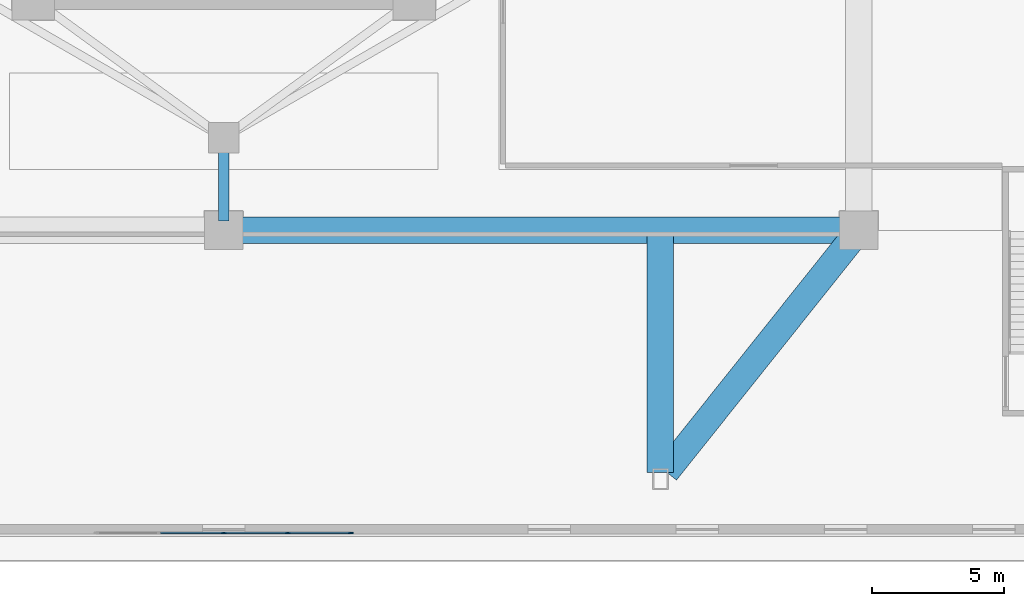
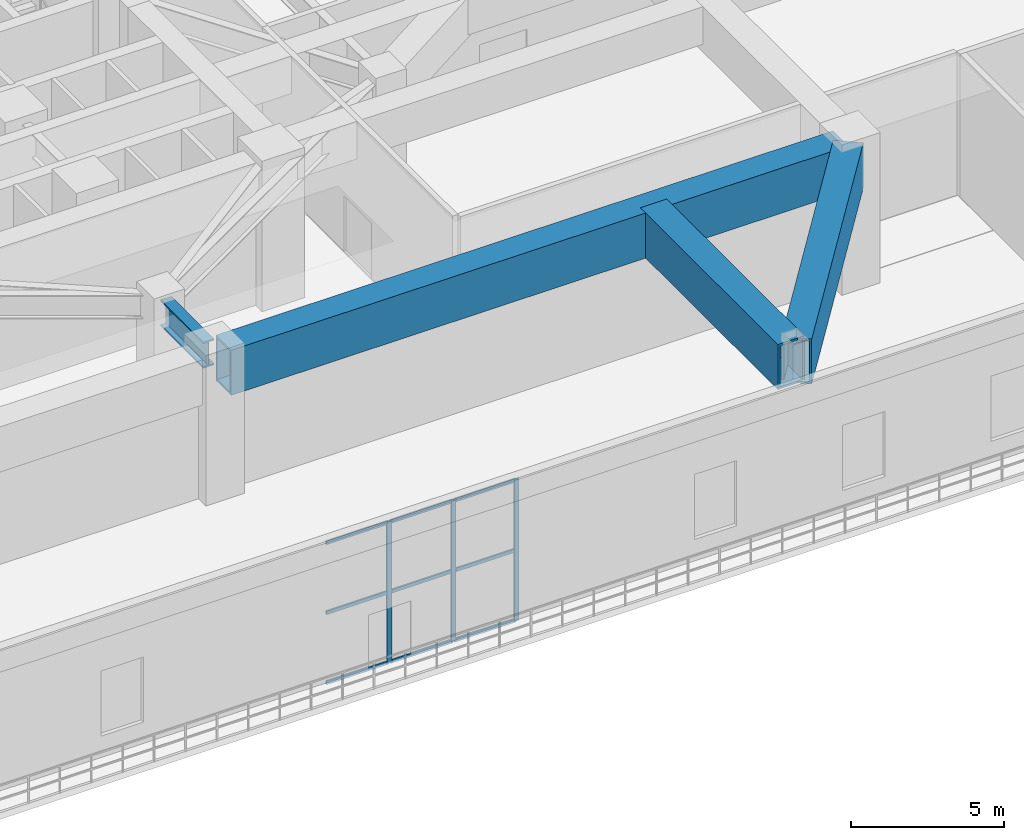
# One storey, part 4 of 25: 12 members, 4 beams, 1 element without a shape of its own.
"""IFC4 building model written with IfcOpenShell, lengths in metres."""

from ifc_helpers import new_model, si_unit, direction, frame, origin, origin_2d, place, context, subcontext, project, spatial, rectangle, hollow_rectangle, i_section, extrude, material, layer, layer_set, material_profile, profile_set, type_object, element, aggregate, save


model = new_model("IFC4")

# Units and contexts
model_context = context("Model", 3, precision=1e-05, world=origin(), true_north=direction((0.0, 1.0)))
body_context = subcontext(model_context, "Body", "Model", "MODEL_VIEW")
ifc_project = project(units=[si_unit("LENGTHUNIT", "METRE"), si_unit("AREAUNIT", "SQUARE_METRE"), si_unit("VOLUMEUNIT", "CUBIC_METRE"), si_unit("PLANEANGLEUNIT", "RADIAN"), si_unit("MASSUNIT", "GRAM", prefix="KILO")], contexts=[model_context])

# Site, building, storey
site_placement = place(None, origin())
site = spatial("IfcSite", under=ifc_project, at=site_placement, CompositionType="ELEMENT")
building_placement = place(site_placement, origin())
building = spatial("IfcBuilding", under=site, at=building_placement, Name="Apsidion Concourse Tower", CompositionType="ELEMENT")
storey_placement = place(building_placement, frame((0.0, 0.0, 11.5)))
storey = spatial("IfcBuildingStorey", under=building, at=storey_placement, Name="L02", CompositionType="ELEMENT", Elevation=11.5)

# Beams
ifc_material_1 = material(Name="Structural steel ASTM A992 Grade 50", Category="steel")
ifc_material_profile_1 = material_profile(ifc_material_1, i_section(OverallWidth=0.408935546875, OverallDepth=1.041015625, WebThickness=0.031005859375, FlangeThickness=0.055908203125, at=origin_2d()), Name="W40X397")
ifc_profile_set_1 = profile_set([ifc_material_profile_1], Name="Structural steel ASTM A992 Grade 50")
beam_type_1 = type_object("IfcBeamType", Name="BM-G-W40H", PredefinedType="USERDEFINED", material=ifc_profile_set_1)
beam_1_placement = place(storey_placement, frame((0.0, -17.64990234375, 5.179443359375), z_axis=(0.0, 1.0, 0.0), x_axis=(-1.0, 0.0, 0.0)))
element("IfcBeam", 1, at=beam_1_placement, inside=storey, type_object=beam_type_1, Name="L02 Podium Girder MC7-IC6", ObjectType="GIRDER", PredefinedType="USERDEFINED", context=body_context, shape_type="SweptSolid", body=[
    extrude(i_section(OverallWidth=0.408935546875, OverallDepth=1.041015625, WebThickness=0.031005859375, FlangeThickness=0.055908203125, at=origin_2d()), origin(), (0.0, 0.0, 1.0), 2.7998046875),
])
ifc_material_2 = material(Name="Structural steel ASTM A572 Grade 50", Category="steel")
ifc_material_profile_2 = material_profile(ifc_material_2, hollow_rectangle(XDim=1.0, YDim=1.800048828125, WallThickness=0.080078125, at=origin_2d()), Name="BOX1800X1000X80")
ifc_profile_set_2 = profile_set([ifc_material_profile_2], Name="Structural steel ASTM A572 Grade 50")
beam_type_2 = type_object("IfcBeamType", Name="BM-TR-1800", PredefinedType="USERDEFINED", material=ifc_profile_set_2)
beam_2_placement = place(storey_placement, frame((0.35009765625, -18.0, 4.800048828125), z_axis=(1.0, 0.0, 0.0), x_axis=(0.0, 1.0, 0.0)))
element("IfcBeam", 2, at=beam_2_placement, inside=storey, type_object=beam_type_2, Name="L02 Podium Transfer Collector Girder MC7-MC2", ObjectType="GIRDER", PredefinedType="USERDEFINED", context=body_context, shape_type="SweptSolid", body=[
    extrude(hollow_rectangle(XDim=1.0, YDim=1.800048828125, WallThickness=0.080078125, at=origin_2d()), origin(), (0.0, 0.0, 1.0), 23.2998046875),
])
beam_3_placement = place(storey_placement, frame((16.5, -27.14990234375, 4.800048828125), z_axis=(0.0, 1.0, 0.0), x_axis=(-1.0, 0.0, 0.0)))
element("IfcBeam", 3, at=beam_3_placement, inside=storey, type_object=beam_type_2, Name="L02 Podium Radial Frame Girder PC10", ObjectType="GIRDER", PredefinedType="USERDEFINED", context=body_context, shape_type="SweptSolid", body=[
    extrude(hollow_rectangle(XDim=1.0, YDim=1.800048828125, WallThickness=0.080078125, at=origin_2d()), origin(), (0.0, 0.0, 1.0), 9.0),
])
beam_4_placement = place(storey_placement, frame((16.71826171875, -27.12646484375, 4.800048828125), z_axis=(0.623685030382, 0.781675753031, 0.0), x_axis=(-0.781675753031, 0.623685030382, 0.0)))
element("IfcBeam", 4, at=beam_4_placement, inside=storey, type_object=beam_type_2, Name="L02 Podium Diagonal Frame Tie PC10", ObjectType="GIRDER", PredefinedType="USERDEFINED", context=body_context, shape_type="SweptSolid", body=[
    extrude(hollow_rectangle(XDim=1.0, YDim=1.800048828125, WallThickness=0.080078125, at=origin_2d()), origin(), (0.0, 0.0, 1.0), 11.325439453125),
])

# Curtain wall, members
ifc_material_3 = material(Name="Insulated laminated low-E glass", Category="glass")
ifc_layer = layer(ifc_material_3, 0.199951171875)
ifc_layer_set = layer_set([ifc_layer], Name="Insulated laminated low-E glass")
curtain_wall_type = type_object("IfcCurtainWallType", Name="CW-SYS-02", PredefinedType="NOTDEFINED", material=ifc_layer_set)
curtain_wall_placement = place(storey_placement, origin())
curtain_wall = element("IfcCurtainWall", 5, at=curtain_wall_placement, inside=storey, type_object=curtain_wall_type, Name="L02 Podium Glazed Curtain Wall S", PredefinedType="NOTDEFINED")
ifc_material_4 = material(Name="Anodised aluminium EN AW-6063 T6", Category="aluminium")
ifc_material_profile_3 = material_profile(ifc_material_4, rectangle(XDim=0.06494140625, YDim=0.179931640625, at=origin_2d()), Name="ALU MULLION 65x180")
ifc_profile_set_3 = profile_set([ifc_material_profile_3], Name="Anodised aluminium EN AW-6063 T6")
member_type_1 = type_object("IfcMemberType", Name="CWM-65X180", PredefinedType="MULLION", material=ifc_profile_set_3)
member_1_placement = place(storey_placement, frame((4.803466796875, -29.43994140625, 0.0), z_axis=(0.0, 0.0, 1.0), x_axis=(0.0, -1.0, 0.0)))
member_1 = element("IfcMember", 6, at=member_1_placement, type_object=member_type_1, Name="CW-02 mullion 1", PredefinedType="MULLION", context=body_context, shape_type="SweptSolid", body=[
    extrude(rectangle(XDim=0.06494140625, YDim=0.179931640625, at=origin_2d()), origin(), (0.0, 0.0, 1.0), 5.64990234375),
])
member_2_placement = place(storey_placement, frame((2.41796875, -29.43994140625, 0.0), z_axis=(0.0, 0.0, 1.0), x_axis=(0.0, -1.0, 0.0)))
member_2 = element("IfcMember", 7, at=member_2_placement, type_object=member_type_1, Name="CW-02 mullion 2", PredefinedType="MULLION", context=body_context, shape_type="SweptSolid", body=[
    extrude(rectangle(XDim=0.06494140625, YDim=0.179931640625, at=origin_2d()), origin(), (0.0, 0.0, 1.0), 5.64990234375),
])
member_3_placement = place(storey_placement, frame((0.0, -29.43994140625, 0.0), z_axis=(0.0, 0.0, 1.0), x_axis=(0.0, -1.0, 0.0)))
member_3 = element("IfcMember", 8, at=member_3_placement, type_object=member_type_1, Name="CW-02 mullion 3", PredefinedType="MULLION", context=body_context, shape_type="SweptSolid", body=[
    extrude(rectangle(XDim=0.06494140625, YDim=0.179931640625, at=origin_2d()), origin(), (0.0, 0.0, 1.0), 5.64990234375),
])
ifc_material_profile_4 = material_profile(ifc_material_4, rectangle(XDim=0.06494140625, YDim=0.139892578125, at=origin_2d()), Name="ALU TRANSOM 65x140")
ifc_profile_set_4 = profile_set([ifc_material_profile_4], Name="Anodised aluminium EN AW-6063 T6")
member_type_2 = type_object("IfcMemberType", Name="CWT-65X140", PredefinedType="USERDEFINED", material=ifc_profile_set_4)
member_4_placement = place(storey_placement, frame((4.77099609375, -29.43994140625, 0.032470703125), z_axis=(-1.0, 0.0, 0.0), x_axis=(0.0, -1.0, 0.0)))
member_4 = element("IfcMember", 9, at=member_4_placement, type_object=member_type_2, Name="CW-02 transom 1.1", ObjectType="TRANSOM", PredefinedType="USERDEFINED", context=body_context, shape_type="SweptSolid", body=[
    extrude(rectangle(XDim=0.06494140625, YDim=0.139892578125, at=origin_2d()), origin(), (0.0, 0.0, 1.0), 2.320556640625),
])
member_5_placement = place(storey_placement, frame((4.77099609375, -29.43994140625, 2.824951171875), z_axis=(-1.0, 0.0, 0.0), x_axis=(0.0, -1.0, 0.0)))
member_5 = element("IfcMember", 10, at=member_5_placement, type_object=member_type_2, Name="CW-02 transom 1.2", ObjectType="TRANSOM", PredefinedType="USERDEFINED", context=body_context, shape_type="SweptSolid", body=[
    extrude(rectangle(XDim=0.06494140625, YDim=0.139892578125, at=origin_2d()), origin(), (0.0, 0.0, 1.0), 2.320556640625),
])
member_6_placement = place(storey_placement, frame((4.77099609375, -29.43994140625, 5.617431640625), z_axis=(-1.0, 0.0, 0.0), x_axis=(0.0, -1.0, 0.0)))
member_6 = element("IfcMember", 11, at=member_6_placement, type_object=member_type_2, Name="CW-02 transom 1.3", ObjectType="TRANSOM", PredefinedType="USERDEFINED", context=body_context, shape_type="SweptSolid", body=[
    extrude(rectangle(XDim=0.06494140625, YDim=0.139892578125, at=origin_2d()), origin(), (0.0, 0.0, 1.0), 2.320556640625),
])
member_7_placement = place(storey_placement, frame((2.385498046875, -29.43994140625, 0.032470703125), z_axis=(-1.0, 0.0, 0.0), x_axis=(0.0, -1.0, 0.0)))
member_7 = element("IfcMember", 12, at=member_7_placement, type_object=member_type_2, Name="CW-02 transom 2.1", ObjectType="TRANSOM", PredefinedType="USERDEFINED", context=body_context, shape_type="SweptSolid", body=[
    extrude(rectangle(XDim=0.06494140625, YDim=0.139892578125, at=origin_2d()), origin(), (0.0, 0.0, 1.0), 2.35302734375),
])
member_8_placement = place(storey_placement, frame((2.385498046875, -29.43994140625, 2.824951171875), z_axis=(-1.0, 0.0, 0.0), x_axis=(0.0, -1.0, 0.0)))
member_8 = element("IfcMember", 13, at=member_8_placement, type_object=member_type_2, Name="CW-02 transom 2.2", ObjectType="TRANSOM", PredefinedType="USERDEFINED", context=body_context, shape_type="SweptSolid", body=[
    extrude(rectangle(XDim=0.06494140625, YDim=0.139892578125, at=origin_2d()), origin(), (0.0, 0.0, 1.0), 2.35302734375),
])
member_9_placement = place(storey_placement, frame((2.385498046875, -29.43994140625, 5.617431640625), z_axis=(-1.0, 0.0, 0.0), x_axis=(0.0, -1.0, 0.0)))
member_9 = element("IfcMember", 14, at=member_9_placement, type_object=member_type_2, Name="CW-02 transom 2.3", ObjectType="TRANSOM", PredefinedType="USERDEFINED", context=body_context, shape_type="SweptSolid", body=[
    extrude(rectangle(XDim=0.06494140625, YDim=0.139892578125, at=origin_2d()), origin(), (0.0, 0.0, 1.0), 2.35302734375),
])
member_10_placement = place(storey_placement, frame((-0.032470703125, -29.43994140625, 0.032470703125), z_axis=(-1.0, 0.0, 0.0), x_axis=(0.0, -1.0, 0.0)))
member_10 = element("IfcMember", 15, at=member_10_placement, type_object=member_type_2, Name="CW-02 transom 3.1", ObjectType="TRANSOM", PredefinedType="USERDEFINED", context=body_context, shape_type="SweptSolid", body=[
    extrude(rectangle(XDim=0.06494140625, YDim=0.139892578125, at=origin_2d()), origin(), (0.0, 0.0, 1.0), 2.35302734375),
])
member_11_placement = place(storey_placement, frame((-0.032470703125, -29.43994140625, 2.824951171875), z_axis=(-1.0, 0.0, 0.0), x_axis=(0.0, -1.0, 0.0)))
member_11 = element("IfcMember", 16, at=member_11_placement, type_object=member_type_2, Name="CW-02 transom 3.2", ObjectType="TRANSOM", PredefinedType="USERDEFINED", context=body_context, shape_type="SweptSolid", body=[
    extrude(rectangle(XDim=0.06494140625, YDim=0.139892578125, at=origin_2d()), origin(), (0.0, 0.0, 1.0), 2.35302734375),
])
member_12_placement = place(storey_placement, frame((-0.032470703125, -29.43994140625, 5.617431640625), z_axis=(-1.0, 0.0, 0.0), x_axis=(0.0, -1.0, 0.0)))
member_12 = element("IfcMember", 17, at=member_12_placement, type_object=member_type_2, Name="CW-02 transom 3.3", ObjectType="TRANSOM", PredefinedType="USERDEFINED", context=body_context, shape_type="SweptSolid", body=[
    extrude(rectangle(XDim=0.06494140625, YDim=0.139892578125, at=origin_2d()), origin(), (0.0, 0.0, 1.0), 2.35302734375),
])
aggregate(curtain_wall, [member_1, member_2, member_3, member_4, member_5, member_6, member_7, member_8, member_9, member_10, member_11, member_12])

save(model, "model.ifc")
